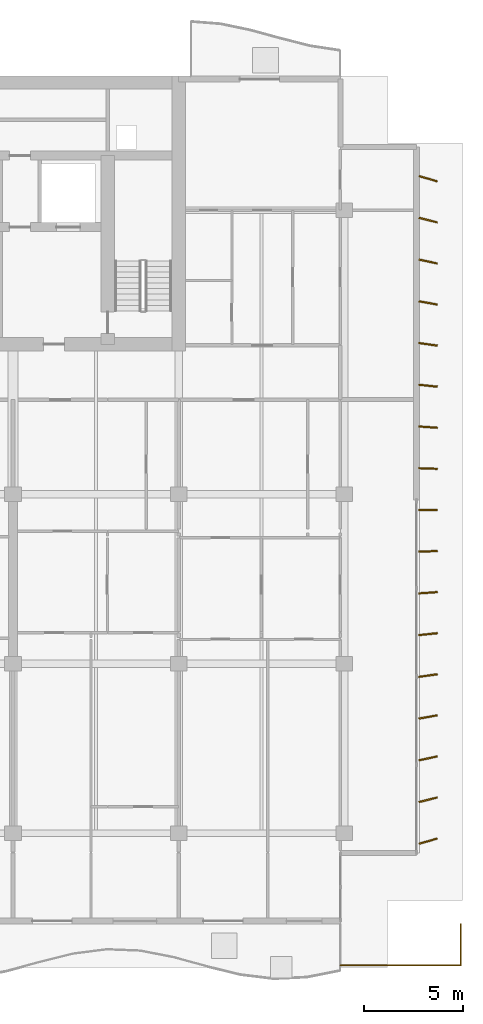
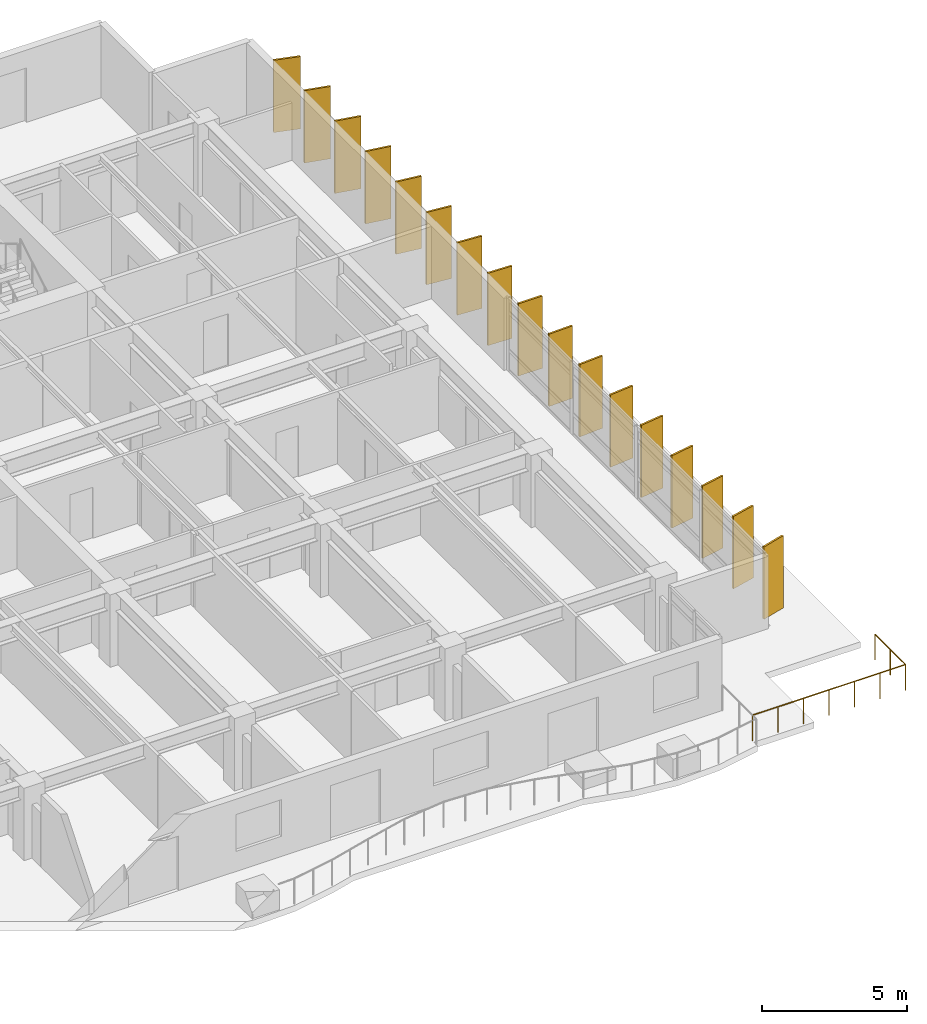
# One storey, part 17 of 17: 17 shading devices, 1 railing.
"""IFC4 building model written with IfcOpenShell, lengths in metres."""

import ifcopenshell
import ifcopenshell.guid

model = None  # the IFC model being written
_history = None  # IfcOwnerHistory: only IFC2X3 demands one
_inside = {}  # id of a spatial element -> (the spatial element, [elements in it])
_under = {}  # id of a project, library or spatial element -> (it, [spatial elements below it])
_declared = {}  # id of a project -> (the project, [libraries it declares])
_typed = {}  # id of a type object -> (the type object, [elements of that type])
_made_of = {}  # id of a material, layer set ... -> (it, [elements and type objects made of it])


def new_model(schema):
    """Start an empty IFC model of exactly this schema.

    Asked for "IFC4X3", IfcOpenShell would pick the latest addendum, in which some entities
    have other attributes; the version numbers below select the first issue.
    IFC2X3 requires an IfcOwnerHistory on every rooted entity: one is made here for all.
    """
    global model, _history
    if schema == "IFC4X3":
        model = ifcopenshell.file(schema_version=(4, 3, 0, 0))
    else:
        model = ifcopenshell.file(schema=schema)
    _inside.clear()
    _under.clear()
    _declared.clear()
    _typed.clear()
    _made_of.clear()
    _history = None
    if model.schema == "IFC2X3":
        org = make("IfcOrganization", Name="unknown")
        user = make(
            "IfcPersonAndOrganization",
            ThePerson=make("IfcPerson", FamilyName="unknown"),
            TheOrganization=org,
        )
        app = make(
            "IfcApplication",
            ApplicationDeveloper=org,
            Version="unknown",
            ApplicationFullName="unknown",
            ApplicationIdentifier="unknown",
        )
        _history = make(
            "IfcOwnerHistory",
            OwningUser=user,
            OwningApplication=app,
            ChangeAction="ADDED",
            CreationDate=0,
        )
    return model


def make(cls, **values):
    """One entity of the class cls with the attributes given. An attribute that is None is left unset."""
    return model.create_entity(
        cls, **{name: value for name, value in values.items() if value is not None}
    )


def rooted(cls, **values):
    """An entity with a GlobalId (a new one), such as an element, a storey or a relation."""
    return make(cls, GlobalId=ifcopenshell.guid.new(), OwnerHistory=_history, **values)


def si_unit(unit_type, name, prefix=None):
    """IfcSIUnit, for example si_unit("LENGTHUNIT", "METRE", prefix="MILLI")."""
    return make("IfcSIUnit", UnitType=unit_type, Prefix=prefix, Name=name)


def assignment(units):
    """IfcUnitAssignment: the units of a project."""
    return None if units is None else make("IfcUnitAssignment", Units=units)


def point(xyz):
    """IfcCartesianPoint."""
    return None if xyz is None else make("IfcCartesianPoint", Coordinates=xyz)


def direction(xyz):
    """IfcDirection."""
    return None if xyz is None else make("IfcDirection", DirectionRatios=xyz)


def frame(location, z_axis=None, x_axis=None):
    """IfcAxis2Placement3D, a coordinate frame: its origin and axes. An axis left out is left unset."""
    return make(
        "IfcAxis2Placement3D",
        Location=point(location),
        Axis=direction(z_axis),
        RefDirection=direction(x_axis),
    )


def frame_2d(location, x_axis=None):
    """IfcAxis2Placement2D, a coordinate frame in the plane: its origin and x axis."""
    return make(
        "IfcAxis2Placement2D", Location=point(location), RefDirection=direction(x_axis)
    )


def origin():
    """The frame at (0, 0, 0) with its axes left unset."""
    return frame((0.0, 0.0, 0.0))


def origin_2d():
    """The frame at (0, 0) in the plane with its x axis left unset."""
    return frame_2d((0.0, 0.0))


def place(relative_to, where):
    """IfcLocalPlacement: puts the frame where relative to a parent placement (None: the world)."""
    return make(
        "IfcLocalPlacement", PlacementRelTo=relative_to, RelativePlacement=where
    )


def context(
    kind, dimensions, precision=None, world=None, true_north=None, identifier=None
):
    """IfcGeometricRepresentationContext, for example the 3D "Model" context."""
    return make(
        "IfcGeometricRepresentationContext",
        ContextIdentifier=identifier,
        ContextType=kind,
        CoordinateSpaceDimension=dimensions,
        Precision=precision,
        WorldCoordinateSystem=world,
        TrueNorth=true_north,
    )


def subcontext(parent, identifier, kind, view, scale=None):
    """IfcGeometricRepresentationSubContext, for example "Body" below "Model"."""
    return make(
        "IfcGeometricRepresentationSubContext",
        ContextIdentifier=identifier,
        ContextType=kind,
        ParentContext=parent,
        TargetScale=scale,
        TargetView=view,
    )


def project(units=None, contexts=None):
    """IfcProject with its units and contexts."""
    return rooted(
        "IfcProject",
        Name="project",
        RepresentationContexts=contexts,
        UnitsInContext=assignment(units),
    )


def spatial(cls, under=None, at=None, **own):
    """A site, building, storey or space (cls), placed at a placement, below another one or the project."""
    s = rooted(cls, ObjectPlacement=at, **own)
    if under is not None:
        _under.setdefault(under.id(), (under, []))[1].append(s)
    return s


def profile(cls, at=None, kind="AREA", **sizes):
    """A parametric profile (cls). Its sizes go by their IFC names, for example OverallWidth=200.0."""
    return make(cls, ProfileType=kind, Position=at, **sizes)


def rectangle(**sizes):
    """IfcRectangleProfileDef."""
    return profile("IfcRectangleProfileDef", **sizes)


def circle(**sizes):
    """IfcCircleProfileDef."""
    return profile("IfcCircleProfileDef", **sizes)


def extrude(swept, where, along, depth):
    """IfcExtrudedAreaSolid: the profile swept, set in the frame where, extruded along a direction by depth."""
    return make(
        "IfcExtrudedAreaSolid",
        SweptArea=swept,
        Position=where,
        ExtrudedDirection=direction(along),
        Depth=depth,
    )


def shape(context_of_items, identifier, shape_type, items):
    """IfcShapeRepresentation: the items that make up one representation, for example the "Body"."""
    return make(
        "IfcShapeRepresentation",
        ContextOfItems=context_of_items,
        RepresentationIdentifier=identifier,
        RepresentationType=shape_type,
        Items=items,
    )


def material(Name=None, Category=None):
    """IfcMaterial."""
    return make("IfcMaterial", Name=Name, Category=Category)


def material_profile(
    of_material, cross_section, Name=None, Category=None, Priority=None
):
    """IfcMaterialProfile: a cross section and its material."""
    return make(
        "IfcMaterialProfile",
        Name=Name,
        Material=of_material,
        Profile=cross_section,
        Priority=Priority,
        Category=Category,
    )


def profile_set(profiles, Name=None, composite=None):
    """IfcMaterialProfileSet."""
    return make(
        "IfcMaterialProfileSet",
        Name=Name,
        MaterialProfiles=profiles,
        CompositeProfile=composite,
    )


def made_of(thing, what):
    """Note that an element or type object is made of a material, layer set ...; save() writes the relation."""
    if what is not None:
        _made_of.setdefault(what.id(), (what, []))[1].append(thing)
    return thing


def type_object(cls, material=None, **own):
    """A type object (cls), such as IfcWallType, which elements share."""
    return made_of(rooted(cls, **own), material)


def element(
    cls,
    number,
    at=None,
    inside=None,
    cuts=None,
    type_object=None,
    material=None,
    context=None,
    identifier="Body",
    shape_type=None,
    held_by="IfcProductDefinitionShape",
    body=None,
    shapes=None,
    **own,
):
    """One element of the class cls, such as IfcWall. Its Tag is "e" and its number.

    at: its placement. inside: the storey or other place that contains it. cuts: it is an
    opening in that element (IfcRelVoidsElement). A single representation is given by context,
    identifier, shape_type and body (its items); several are given by shapes. held_by: the class
    of the entity that holds the representations. save() writes the other relations.
    """
    e = rooted(cls, Tag="e%d" % number, ObjectPlacement=at, **own)
    if body is not None:
        shapes = [shape(context, identifier, shape_type, body)]
    if shapes is not None:
        e.Representation = make(held_by, Representations=shapes)
    if inside is not None:
        _inside.setdefault(inside.id(), (inside, []))[1].append(e)
    if cuts is not None:
        rooted(
            "IfcRelVoidsElement", RelatingBuildingElement=cuts, RelatedOpeningElement=e
        )
    if type_object is not None:
        _typed.setdefault(type_object.id(), (type_object, []))[1].append(e)
    return made_of(e, material)


def aggregate(whole, parts):
    """IfcRelAggregates: a whole, such as a stair, and the parts it consists of."""
    return rooted("IfcRelAggregates", RelatingObject=whole, RelatedObjects=parts)


def save(model, path):
    """Write the relations noted so far, then the file.

    IfcRelAggregates (storeys below a building ...), IfcRelContainedInSpatialStructure (elements
    in a storey), IfcRelDefinesByType, IfcRelAssociatesMaterial and IfcRelDeclares: one each for
    every whole, place, type object, material and project.
    """
    for whole, parts in _under.values():
        aggregate(whole, parts)
    for where, things in _inside.values():
        rooted(
            "IfcRelContainedInSpatialStructure",
            RelatedElements=things,
            RelatingStructure=where,
        )
    for kind, things in _typed.values():
        rooted("IfcRelDefinesByType", RelatedObjects=things, RelatingType=kind)
    for what, things in _made_of.values():
        rooted("IfcRelAssociatesMaterial", RelatedObjects=things, RelatingMaterial=what)
    for by, libraries in _declared.values():
        rooted("IfcRelDeclares", RelatingContext=by, RelatedDefinitions=libraries)
    model.write(path)


model = new_model("IFC4")

# Units and contexts
model_context = context("Model", 3, precision=1e-05, world=origin(), true_north=direction((0.0, 1.0)))
body_context = subcontext(model_context, "Body", "Model", "MODEL_VIEW")
ifc_project = project(units=[si_unit("LENGTHUNIT", "METRE"), si_unit("AREAUNIT", "SQUARE_METRE"), si_unit("VOLUMEUNIT", "CUBIC_METRE"), si_unit("PLANEANGLEUNIT", "RADIAN"), si_unit("MASSUNIT", "GRAM", prefix="KILO")], contexts=[model_context])

# Site, building, storey
site_placement = place(None, origin())
site = spatial("IfcSite", under=ifc_project, at=site_placement, CompositionType="ELEMENT")
building_placement = place(site_placement, origin())
building = spatial("IfcBuilding", under=site, at=building_placement, Name="Caelmar Bay Residences", CompositionType="ELEMENT")
storey_placement = place(building_placement, frame((0.0, 0.0, 157.199951171875)))
storey = spatial("IfcBuildingStorey", under=building, at=storey_placement, Name="L43", CompositionType="ELEMENT", Elevation=157.199951171875)

# Railing
ifc_material_1 = material(Name="Anodised bronze handrail with laminated hurricane glass infill", Category="glass")
railing_type = type_object("IfcRailingType", Name="RL-BAL-1100", PredefinedType="BALUSTRADE", material=ifc_material_1)
railing_placement = place(storey_placement, frame((67.699951171875, 5.5, 0.0)))
element("IfcRailing", 1, at=railing_placement, inside=storey, type_object=railing_type, Name="L43 East Planted Terrace Balustrade", PredefinedType="BALUSTRADE", context=body_context, shape_type="SweptSolid", body=[
    extrude(circle(Radius=0.02392578125, at=origin_2d()), frame((0.0, 0.0, 1.076171875), z_axis=(1.0, 0.0, 0.0), x_axis=(0.0, 1.0, 0.0)), (0.0, 0.0, 1.0), 6.10009765625),
    extrude(circle(Radius=0.02392578125, at=origin_2d()), frame((6.10009765625, 0.0, 1.076171875), z_axis=(0.0, 1.0, 0.0), x_axis=(-1.0, 0.0, 0.0)), (0.0, 0.0, 1.0), 2.10009765625),
    extrude(circle(Radius=0.02099609375, at=origin_2d()), origin(), (0.0, 0.0, 1.0), 1.052001953125),
    extrude(circle(Radius=0.02099609375, at=origin_2d()), frame((1.0166015625, 0.0, 0.0)), (0.0, 0.0, 1.0), 1.052001953125),
    extrude(circle(Radius=0.02099609375, at=origin_2d()), frame((2.033447265625, 0.0, 0.0)), (0.0, 0.0, 1.0), 1.052001953125),
    extrude(circle(Radius=0.02099609375, at=origin_2d()), frame((3.050048828125, 0.0, 0.0)), (0.0, 0.0, 1.0), 1.052001953125),
    extrude(circle(Radius=0.02099609375, at=origin_2d()), frame((4.066650390625, 0.0, 0.0)), (0.0, 0.0, 1.0), 1.052001953125),
    extrude(circle(Radius=0.02099609375, at=origin_2d()), frame((5.08349609375, 0.0, 0.0)), (0.0, 0.0, 1.0), 1.052001953125),
    extrude(circle(Radius=0.02099609375, at=origin_2d()), frame((6.10009765625, 0.0, 0.0)), (0.0, 0.0, 1.0), 1.052001953125),
    extrude(circle(Radius=0.02099609375, at=origin_2d()), frame((6.10009765625, 1.050048828125, 0.0)), (0.0, 0.0, 1.0), 1.052001953125),
    extrude(circle(Radius=0.02099609375, at=origin_2d()), frame((6.10009765625, 2.10009765625, 0.0)), (0.0, 0.0, 1.0), 1.052001953125),
])

# Shading devices
ifc_material_2 = material(Name="Anodised architectural bronze aluminium 6063-T6", Category="aluminium")
ifc_material_profile = material_profile(ifc_material_2, rectangle(XDim=0.074951171875, YDim=0.949951171875, at=origin_2d()), Name="BRONZE-FIN-75X950")
ifc_profile_set = profile_set([ifc_material_profile], Name="Anodised architectural bronze aluminium 6063-T6")
shading_device_type = type_object("IfcShadingDeviceType", Name="SHD-FIN-950", PredefinedType="USERDEFINED", material=ifc_profile_set)
for number, where, z_axis, x_axis, name in (
    (2, (72.14990234375, 11.800048828125, 0.0), (0.0, 0.0, 1.0), (-0.275637355817, 0.961261695938, 0.0), "L43 East Bronze Solar Fin 1"),
    (3, (72.14990234375, 13.89990234375, 0.0), (0.0, 0.0, 1.0), (-0.2419218956, 0.970295726276, 0.0), "L43 East Bronze Solar Fin 2"),
    (4, (72.14990234375, 16.0, 0.0), (0.0, 0.0, 1.0), (-0.207911690818, 0.978147600734, 0.0), "L43 East Bronze Solar Fin 3"),
    (5, (72.14990234375, 18.10009765625, 0.0), (0.0, 0.0, 1.0), (-0.173648177667, 0.984807753012, 0.0), "L43 East Bronze Solar Fin 4"),
    (6, (72.14990234375, 20.199951171875, 0.0), (0.0, 0.0, 1.0), (-0.13917310096, 0.990268068742, 0.0), "L43 East Bronze Solar Fin 5"),
    (7, (72.14990234375, 22.300048828125, 0.0), (0.0, 0.0, 1.0), (-0.104528463268, 0.994521895368, 0.0), "L43 East Bronze Solar Fin 6"),
    (8, (72.14990234375, 24.39990234375, 0.0), (0.0, 0.0, 1.0), (-0.069756473744, 0.99756405026, 0.0), "L43 East Bronze Solar Fin 7"),
    (9, (72.14990234375, 26.5, 0.0), (0.0, 0.0, 1.0), (-0.034899496703, 0.999390827019, 0.0), "L43 East Bronze Solar Fin 8"),
    (10, (72.14990234375, 28.60009765625, 0.0), (0.0, 0.0, 1.0), (0.0, 1.0, 0.0), "L43 East Bronze Solar Fin 9"),
    (11, (72.14990234375, 30.699951171875, 0.0), (0.0, 0.0, 1.0), (0.034899496703, 0.999390827019, 0.0), "L43 East Bronze Solar Fin 10"),
    (12, (72.14990234375, 32.800048828125, 0.0), (0.0, 0.0, 1.0), (0.069756473744, 0.99756405026, 0.0), "L43 East Bronze Solar Fin 11"),
    (13, (72.14990234375, 34.89990234375, 0.0), (0.0, 0.0, 1.0), (0.104528463268, 0.994521895368, 0.0), "L43 East Bronze Solar Fin 12"),
    (14, (72.14990234375, 37.0, 0.0), (0.0, 0.0, 1.0), (0.13917310096, 0.990268068742, 0.0), "L43 East Bronze Solar Fin 13"),
    (15, (72.14990234375, 39.10009765625, 0.0), (0.0, 0.0, 1.0), (0.173648177667, 0.984807753012, 0.0), "L43 East Bronze Solar Fin 14"),
    (16, (72.14990234375, 41.199951171875, 0.0), (0.0, 0.0, 1.0), (0.207911690818, 0.978147600734, 0.0), "L43 East Bronze Solar Fin 15"),
    (17, (72.14990234375, 43.300048828125, 0.0), (0.0, 0.0, 1.0), (0.2419218956, 0.970295726276, 0.0), "L43 East Bronze Solar Fin 16"),
    (18, (72.14990234375, 45.39990234375, 0.0), (0.0, 0.0, 1.0), (0.275637355817, 0.961261695938, 0.0), "L43 East Bronze Solar Fin 17"),
):
    element("IfcShadingDevice", number, at=place(storey_placement, frame(where, z_axis=z_axis, x_axis=x_axis)), inside=storey, type_object=shading_device_type, Name=name, ObjectType="FIN", PredefinedType="USERDEFINED", context=body_context, shape_type="SweptSolid", body=[
        extrude(rectangle(XDim=0.074951171875, YDim=0.949951171875, at=origin_2d()), origin(), (0.0, 0.0, 1.0), 3.050048828125),
    ])

save(model, "model.ifc")
